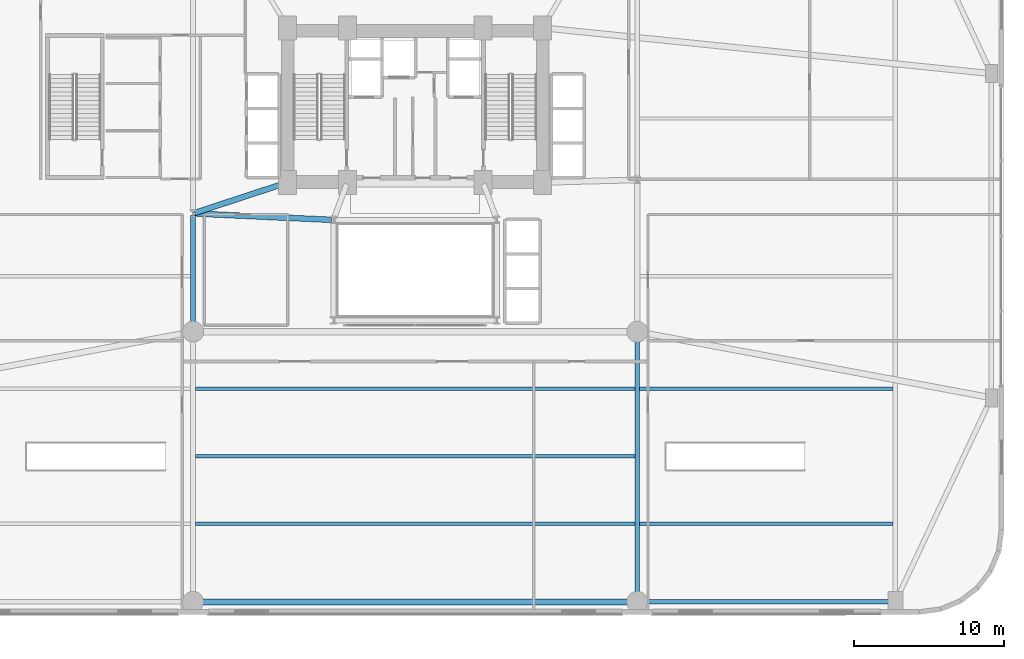
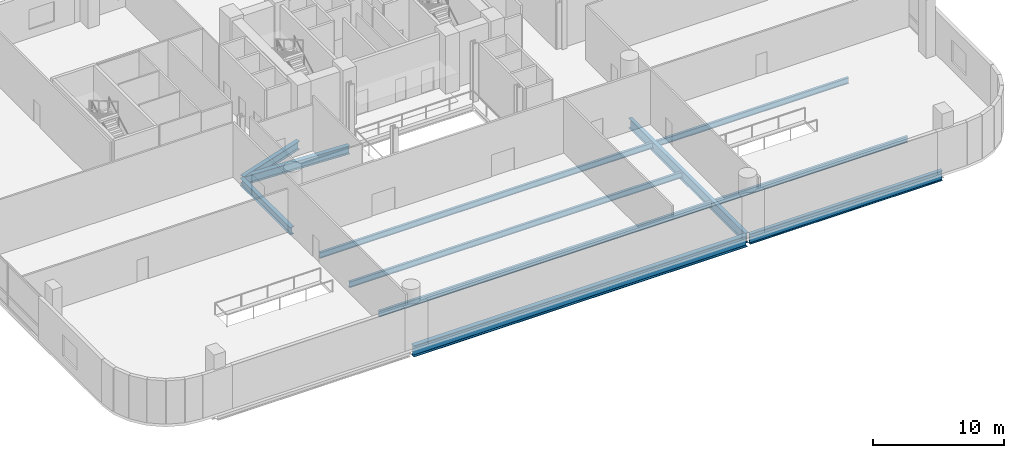
# One storey, part 9 of 31: 11 beams.
"""IFC4 building model written with IfcOpenShell, lengths in metres."""

from ifc_helpers import new_model, si_unit, direction, frame, origin, origin_2d, place, context, subcontext, project, spatial, i_section, extrude, material, material_profile, profile_set, type_object, element, save


model = new_model("IFC4")

# Units and contexts
model_context = context("Model", 3, precision=1e-05, world=origin(), true_north=direction((0.0, 1.0)))
body_context = subcontext(model_context, "Body", "Model", "MODEL_VIEW")
ifc_project = project(units=[si_unit("LENGTHUNIT", "METRE"), si_unit("AREAUNIT", "SQUARE_METRE"), si_unit("VOLUMEUNIT", "CUBIC_METRE"), si_unit("PLANEANGLEUNIT", "RADIAN"), si_unit("MASSUNIT", "GRAM", prefix="KILO")], contexts=[model_context])

# Site, building, storey
site_placement = place(None, origin())
site = spatial("IfcSite", under=ifc_project, at=site_placement, CompositionType="ELEMENT")
building_placement = place(site_placement, origin())
building = spatial("IfcBuilding", under=site, at=building_placement, Name="Varnelok Gate Tower", CompositionType="ELEMENT")
storey_placement = place(building_placement, frame((0.0, 0.0, 16.199951171875)))
storey = spatial("IfcBuildingStorey", under=building, at=storey_placement, Name="L03", CompositionType="ELEMENT", Elevation=16.199951171875)

# Beams
ifc_material = material(Name="Structural Steel ASTM A992 Grade 50", Category="steel")
ifc_material_profile_1 = material_profile(ifc_material, i_section(OverallWidth=0.2119140625, OverallDepth=0.5439453125, WebThickness=0.01318359375, FlangeThickness=0.021240234375, FilletRadius=0.01611328125, at=origin_2d()), Name="W21X83")
ifc_profile_set_1 = profile_set([ifc_material_profile_1], Name="Structural Steel ASTM A992 Grade 50")
beam_type_1 = type_object("IfcBeamType", Name="BM-JST-W21X83", PredefinedType="JOIST", material=ifc_profile_set_1)
beam_1_placement = place(storey_placement, frame((54.159912109375, 6.0, -0.552001953125), z_axis=(1.0, 0.0, 0.0), x_axis=(0.0, 1.0, 0.0)))
element("IfcBeam", 1, at=beam_1_placement, inside=storey, type_object=beam_type_1, Name="L03 Podium Floor Joist", PredefinedType="JOIST", context=body_context, shape_type="SweptSolid", body=[
    extrude(i_section(OverallWidth=0.2119140625, OverallDepth=0.5439453125, WebThickness=0.01318359375, FlangeThickness=0.021240234375, FilletRadius=0.01611328125, at=origin_2d()), origin(), (0.0, 0.0, 1.0), 16.880126953125),
])
for number, where, z_axis, x_axis, name in (
    (2, (24.56005859375, 6.0, -0.552001953125), (1.0, 0.0, 0.0), (0.0, 1.0, 0.0), "L03 Central Bay Joist"),
    (3, (24.56005859375, 10.5, -0.552001953125), (1.0, 0.0, 0.0), (0.0, 1.0, 0.0), "L03 Central Bay Joist"),
):
    element("IfcBeam", number, at=place(storey_placement, frame(where, z_axis=z_axis, x_axis=x_axis)), inside=storey, type_object=beam_type_1, Name=name, PredefinedType="JOIST", context=body_context, shape_type="SweptSolid", body=[
        extrude(i_section(OverallWidth=0.2119140625, OverallDepth=0.5439453125, WebThickness=0.01318359375, FlangeThickness=0.021240234375, FilletRadius=0.01611328125, at=origin_2d()), origin(), (0.0, 0.0, 1.0), 29.280029296875),
    ])
beam_2_placement = place(storey_placement, frame((54.159912109375, 15.0, -0.552001953125), z_axis=(1.0, 0.0, 0.0), x_axis=(0.0, 1.0, 0.0)))
element("IfcBeam", 4, at=beam_2_placement, inside=storey, type_object=beam_type_1, Name="L03 Podium Floor Joist", PredefinedType="JOIST", context=body_context, shape_type="SweptSolid", body=[
    extrude(i_section(OverallWidth=0.2119140625, OverallDepth=0.5439453125, WebThickness=0.01318359375, FlangeThickness=0.021240234375, FilletRadius=0.01611328125, at=origin_2d()), origin(), (0.0, 0.0, 1.0), 16.880126953125),
])
beam_3_placement = place(storey_placement, frame((24.56005859375, 15.0, -0.552001953125), z_axis=(1.0, 0.0, 0.0), x_axis=(0.0, 1.0, 0.0)))
element("IfcBeam", 5, at=beam_3_placement, inside=storey, type_object=beam_type_1, Name="L03 Central Bay Joist", PredefinedType="JOIST", context=body_context, shape_type="SweptSolid", body=[
    extrude(i_section(OverallWidth=0.2119140625, OverallDepth=0.5439453125, WebThickness=0.01318359375, FlangeThickness=0.021240234375, FilletRadius=0.01611328125, at=origin_2d()), origin(), (0.0, 0.0, 1.0), 29.280029296875),
])
ifc_material_profile_2 = material_profile(ifc_material, i_section(OverallWidth=0.35498046875, OverallDepth=0.696044921875, WebThickness=0.015380859375, FlangeThickness=0.02490234375, FilletRadius=0.02001953125, at=origin_2d()), Name="W27X146")
ifc_profile_set_2 = profile_set([ifc_material_profile_2], Name="Structural Steel ASTM A992 Grade 50")
beam_type_2 = type_object("IfcBeamType", Name="BM-PRI-W27X146", PredefinedType="BEAM", material=ifc_profile_set_2)
beam_4_placement = place(storey_placement, frame((24.39990234375, 18.919921875, -0.6279296875), z_axis=(0.0, 1.0, 0.0), x_axis=(-1.0, 0.0, 0.0)))
element("IfcBeam", 6, at=beam_4_placement, inside=storey, type_object=beam_type_2, Name="L03 Core-Atrium Spine Beam 16", PredefinedType="BEAM", context=body_context, shape_type="SweptSolid", body=[
    extrude(i_section(OverallWidth=0.35498046875, OverallDepth=0.696044921875, WebThickness=0.015380859375, FlangeThickness=0.02490234375, FilletRadius=0.02001953125, at=origin_2d()), origin(), (0.0, 0.0, 1.0), 7.64013671875),
])
ifc_material_profile_3 = material_profile(ifc_material, i_section(OverallWidth=0.381103515625, OverallDepth=0.77294921875, WebThickness=0.0166015625, FlangeThickness=0.027099609375, FilletRadius=0.02197265625, at=origin_2d()), Name="W30X173")
ifc_profile_set_3 = profile_set([ifc_material_profile_3], Name="Structural Steel ASTM A992 Grade 50")
beam_type_3 = type_object("IfcBeamType", Name="BM-PRI-W30X173", PredefinedType="BEAM", material=ifc_profile_set_3)
beam_5_placement = place(storey_placement, frame((24.52001953125, 26.674560546875, -0.66650390625), z_axis=(0.99894427814, -0.045938319209, 0.0), x_axis=(0.045938319209, 0.99894427814, 0.0)))
element("IfcBeam", 7, at=beam_5_placement, inside=storey, type_object=beam_type_3, Name="L03 Core-Atrium Spine Beam 15", PredefinedType="BEAM", context=body_context, shape_type="SweptSolid", body=[
    extrude(i_section(OverallWidth=0.381103515625, OverallDepth=0.77294921875, WebThickness=0.0166015625, FlangeThickness=0.027099609375, FilletRadius=0.02197265625, at=origin_2d()), origin(), (0.0, 0.0, 1.0), 9.11962890625),
])
beam_6_placement = place(storey_placement, frame((24.513916015625, 26.717529296875, -0.66650390625), z_axis=(0.950041943788, 0.312122259768, 0.0), x_axis=(-0.312122259768, 0.950041943788, 0.0)))
element("IfcBeam", 8, at=beam_6_placement, inside=storey, type_object=beam_type_3, Name="L03 Core-Atrium Spine Beam 17", PredefinedType="BEAM", context=body_context, shape_type="SweptSolid", body=[
    extrude(i_section(OverallWidth=0.381103515625, OverallDepth=0.77294921875, WebThickness=0.0166015625, FlangeThickness=0.027099609375, FilletRadius=0.02197265625, at=origin_2d()), origin(), (0.0, 0.0, 1.0), 6.391357421875),
])
ifc_material_profile_4 = material_profile(ifc_material, i_section(OverallWidth=0.30810546875, OverallDepth=0.943115234375, WebThickness=0.022216796875, FlangeThickness=0.039794921875, FilletRadius=0.02587890625, at=origin_2d()), Name="W36X232")
ifc_profile_set_4 = profile_set([ifc_material_profile_4], Name="Structural Steel ASTM A992 Grade 50")
beam_type_4 = type_object("IfcBeamType", Name="BM-PRI-W36X232", PredefinedType="BEAM", material=ifc_profile_set_4)
beam_7_placement = place(storey_placement, frame((54.139892578125, 0.800048828125, -0.75146484375), z_axis=(1.0, 0.0, 0.0), x_axis=(0.0, 1.0, 0.0)))
element("IfcBeam", 9, at=beam_7_placement, inside=storey, type_object=beam_type_4, Name="L03 Podium Primary Girder 2", PredefinedType="BEAM", context=body_context, shape_type="SweptSolid", body=[
    extrude(i_section(OverallWidth=0.30810546875, OverallDepth=0.943115234375, WebThickness=0.022216796875, FlangeThickness=0.039794921875, FilletRadius=0.02587890625, at=origin_2d()), origin(), (0.0, 0.0, 1.0), 16.920166015625),
])
beam_8_placement = place(storey_placement, frame((54.0, 0.93994140625, -0.75146484375), z_axis=(0.0, 1.0, 0.0), x_axis=(-1.0, 0.0, 0.0)))
element("IfcBeam", 10, at=beam_8_placement, inside=storey, type_object=beam_type_4, Name="L03 Podium Primary Girder 13", PredefinedType="BEAM", context=body_context, shape_type="SweptSolid", body=[
    extrude(i_section(OverallWidth=0.30810546875, OverallDepth=0.943115234375, WebThickness=0.022216796875, FlangeThickness=0.039794921875, FilletRadius=0.02587890625, at=origin_2d()), origin(), (0.0, 0.0, 1.0), 17.719970703125),
])
ifc_material_profile_5 = material_profile(ifc_material, i_section(OverallWidth=0.409912109375, OverallDepth=1.0400390625, WebThickness=0.031005859375, FlangeThickness=0.055908203125, FilletRadius=0.030029296875, at=origin_2d()), Name="W40X397")
ifc_profile_set_5 = profile_set([ifc_material_profile_5], Name="Structural Steel ASTM A992 Grade 50")
beam_type_5 = type_object("IfcBeamType", Name="BM-TIE-W40X397", PredefinedType="BEAM", material=ifc_profile_set_5)
beam_9_placement = place(storey_placement, frame((24.5400390625, 0.800048828125, -0.800048828125), z_axis=(1.0, 0.0, 0.0), x_axis=(0.0, 1.0, 0.0)))
element("IfcBeam", 11, at=beam_9_placement, inside=storey, type_object=beam_type_5, Name="L03 Podium Primary Girder 24", PredefinedType="BEAM", context=body_context, shape_type="SweptSolid", body=[
    extrude(i_section(OverallWidth=0.409912109375, OverallDepth=1.0400390625, WebThickness=0.031005859375, FlangeThickness=0.055908203125, FilletRadius=0.030029296875, at=origin_2d()), origin(), (0.0, 0.0, 1.0), 29.320068359375),
])

save(model, "model.ifc")
